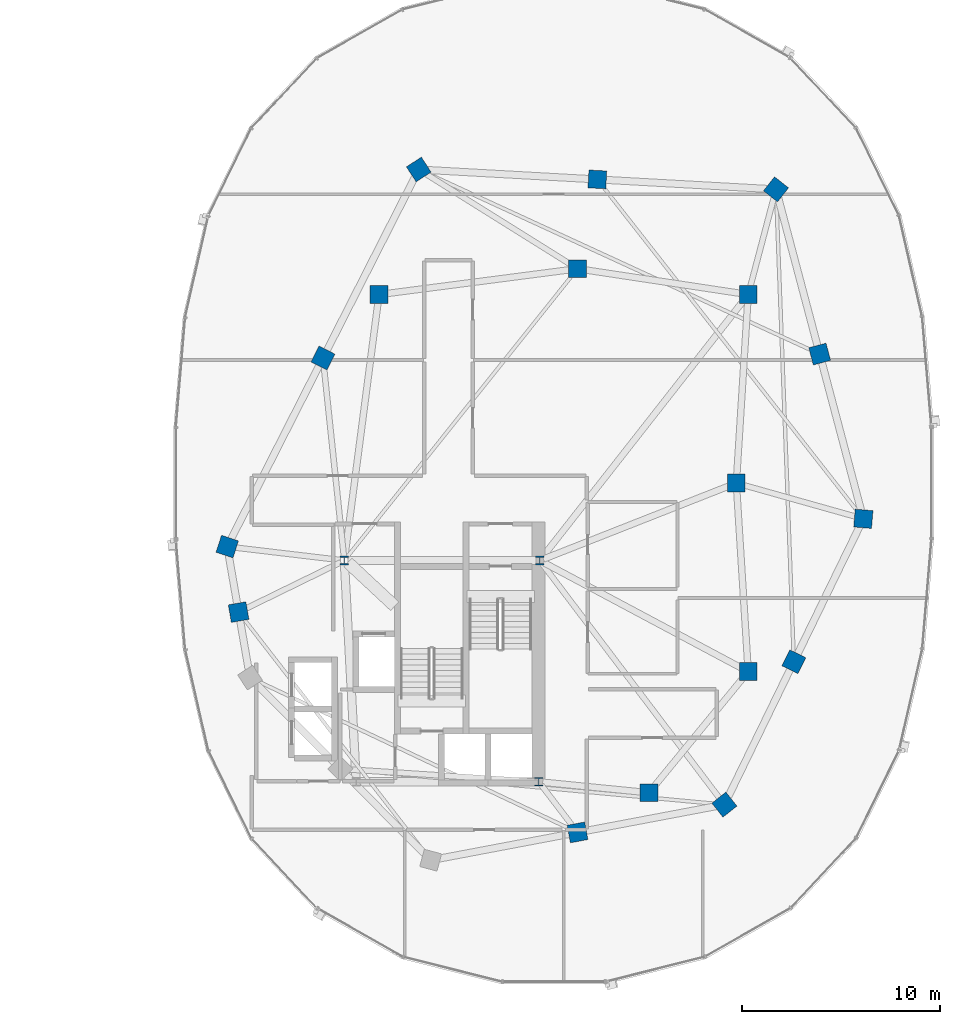
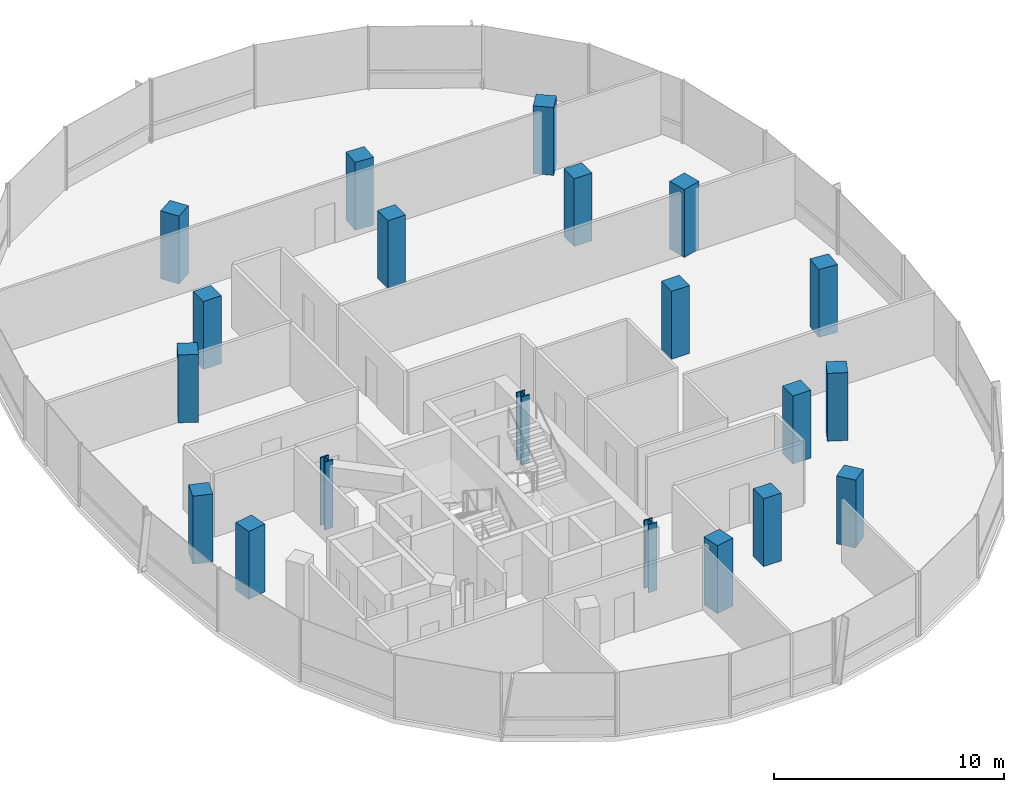
# One storey, part 2 of 25: 20 columns.
"""IFC4 building model written with IfcOpenShell, lengths in metres."""

from ifc_helpers import new_model, si_unit, direction, frame, origin, origin_2d, place, context, subcontext, project, spatial, rectangle, i_section, extrude, material, material_profile, profile_set, type_object, element, save


model = new_model("IFC4")

# Units and contexts
model_context = context("Model", 3, precision=1e-05, world=origin(), true_north=direction((0.0, 1.0)))
body_context = subcontext(model_context, "Body", "Model", "MODEL_VIEW")
ifc_project = project(units=[si_unit("LENGTHUNIT", "METRE"), si_unit("AREAUNIT", "SQUARE_METRE"), si_unit("VOLUMEUNIT", "CUBIC_METRE"), si_unit("PLANEANGLEUNIT", "RADIAN"), si_unit("MASSUNIT", "GRAM", prefix="KILO"), si_unit("THERMODYNAMICTEMPERATUREUNIT", "KELVIN"), si_unit("POWERUNIT", "WATT")], contexts=[model_context])

# Site, building, storey
site_placement = place(None, origin())
site = spatial("IfcSite", under=ifc_project, at=site_placement, CompositionType="ELEMENT")
building_placement = place(site_placement, origin())
building = spatial("IfcBuilding", under=site, at=building_placement, Name="Cundina Bronze Exchange", CompositionType="ELEMENT")
storey_placement = place(building_placement, frame((0.0, 0.0, 220.60009765625)))
storey = spatial("IfcBuildingStorey", under=building, at=storey_placement, Name="L58", CompositionType="ELEMENT", Elevation=220.60009765625)

# Columns
ifc_material_1 = material(Name="Steel ASTM A992 Grade 50", Category="steel")
ifc_material_profile_1 = material_profile(ifc_material_1, i_section(OverallWidth=0.416015625, OverallDepth=0.446044921875, WebThickness=0.0390625, FlangeThickness=0.062744140625, FilletRadius=0.01806640625, at=origin_2d()), Name="W14X342", Category="steel")
ifc_profile_set_1 = profile_set([ifc_material_profile_1], Name="Steel ASTM A992 Grade 50")
column_type_1 = type_object("IfcColumnType", Name="COL-STL-W14B", PredefinedType="COLUMN", material=ifc_profile_set_1)
for number, where, z_axis, x_axis, name in (
    (1, (31.300048828125, -3.89990234375, 0.0), (0.0, 0.0, 1.0), (1.0, 0.0, 0.0), "L58 Core Anchor Column E1"),
    (2, (21.449951171875, -3.89990234375, 0.0), (0.0, 0.0, 1.0), (1.0, 0.0, 0.0), "L58 Core Anchor Column E2"),
    (3, (31.25, -15.050048828125, 0.0), (0.0, 0.0, 1.0), (1.0, 0.0, 0.0), "L58 Core Anchor Column E4"),
):
    element("IfcColumn", number, at=place(storey_placement, frame(where, z_axis=z_axis, x_axis=x_axis)), inside=storey, type_object=column_type_1, Name=name, PredefinedType="COLUMN", context=body_context, shape_type="SweptSolid", body=[
        extrude(i_section(OverallWidth=0.416015625, OverallDepth=0.446044921875, WebThickness=0.0390625, FlangeThickness=0.062744140625, FilletRadius=0.01806640625, at=origin_2d()), origin(), (0.0, 0.0, 1.0), 3.599853515625),
    ])
ifc_material_2 = material(Name="Concrete C50/60", Category="concrete")
ifc_material_profile_2 = material_profile(ifc_material_2, rectangle(XDim=0.89990234375, YDim=0.89990234375, at=origin_2d()), Name="RC900X900", Category="concrete")
ifc_profile_set_2 = profile_set([ifc_material_profile_2], Name="Concrete C50/60")
column_type_2 = type_object("IfcColumnType", Name="COL-Z4-900", PredefinedType="COLUMN", material=ifc_profile_set_2)
for number, where, z_axis, x_axis, name in (
    (4, (41.199951171875, 0.0, 0.0), (0.0, 0.0, 1.0), (1.0, 0.0, 0.0), "L58 E Inner Ring Column 1"),
    (5, (41.800048828125, -9.5, 0.0), (0.0, 0.0, 1.0), (1.0, 0.0, 0.0), "L58 E Inner Ring Column 2"),
    (6, (36.800048828125, -15.60009765625, 0.0), (0.0, 0.0, 1.0), (1.0, 0.0, 0.0), "L58 E Inner Ring Column 3"),
    (7, (41.800048828125, 9.5, 0.0), (0.0, 0.0, 1.0), (1.0, 0.0, 0.0), "L58 E Inner Ring Column 4"),
    (8, (33.199951171875, 10.800048828125, 0.0), (0.0, 0.0, 1.0), (1.0, 0.0, 0.0), "L58 E Inner Ring Column 5"),
    (9, (23.199951171875, 9.5, 0.0), (0.0, 0.0, 1.0), (1.0, 0.0, 0.0), "L58 E Inner Ring Column 6"),
    (10, (15.550048828125, -3.199951171875, 0.0), (0.0, 0.0, 1.0), (-0.315152163383, -0.949041155016, 0.0), "L58 E Perimeter Column 00"),
    (11, (16.125, -6.5, 0.0), (0.0, 0.0, 1.0), (0.171585221787, -0.985169280715, 0.0), "L58 E Perimeter Column 01"),
    (12, (33.199951171875, -17.60009765625, 0.0), (0.0, 0.0, 1.0), (0.98258037664, 0.185838110843, 0.0), "L58 E Perimeter Column 05"),
    (13, (40.60009765625, -16.199951171875, 0.0), (0.0, 0.0, 1.0), (0.785100778485, 0.619368038909, 0.0), "L58 E Perimeter Column 06"),
    (14, (44.10009765625, -9.0, 0.0), (0.0, 0.0, 1.0), (0.437115766651, 0.899405251566, 0.0), "L58 E Perimeter Column 07"),
    (15, (47.60009765625, -1.800048828125, 0.0), (0.0, 0.0, 1.0), (0.083503921245, 0.996507448611, 0.0), "L58 E Perimeter Column 08"),
    (16, (45.39990234375, 6.5, 0.0), (0.0, 0.0, 1.0), (-0.256289373133, 0.966600102017, 0.0), "L58 E Perimeter Column 09"),
    (17, (43.199951171875, 14.800048828125, 0.0), (0.0, 0.0, 1.0), (-0.786288432137, 0.61785961309, 0.0), "L58 E Perimeter Column 10"),
    (18, (34.199951171875, 15.300048828125, 0.0), (0.0, 0.0, 1.0), (-0.998460188734, 0.055472980025, 0.0), "L58 E Perimeter Column 11"),
    (19, (25.199951171875, 15.800048828125, 0.0), (0.0, 0.0, 1.0), (-0.838099763533, -0.545516989988, 0.0), "L58 E Perimeter Column 12"),
    (20, (20.375, 6.300048828125, 0.0), (0.0, 0.0, 1.0), (-0.452901591366, -0.891560513111, 0.0), "L58 E Perimeter Column 13"),
):
    element("IfcColumn", number, at=place(storey_placement, frame(where, z_axis=z_axis, x_axis=x_axis)), inside=storey, type_object=column_type_2, Name=name, PredefinedType="COLUMN", context=body_context, shape_type="SweptSolid", body=[
        extrude(rectangle(XDim=0.89990234375, YDim=0.89990234375, at=origin_2d()), origin(), (0.0, 0.0, 1.0), 3.599853515625),
    ])

save(model, "model.ifc")
